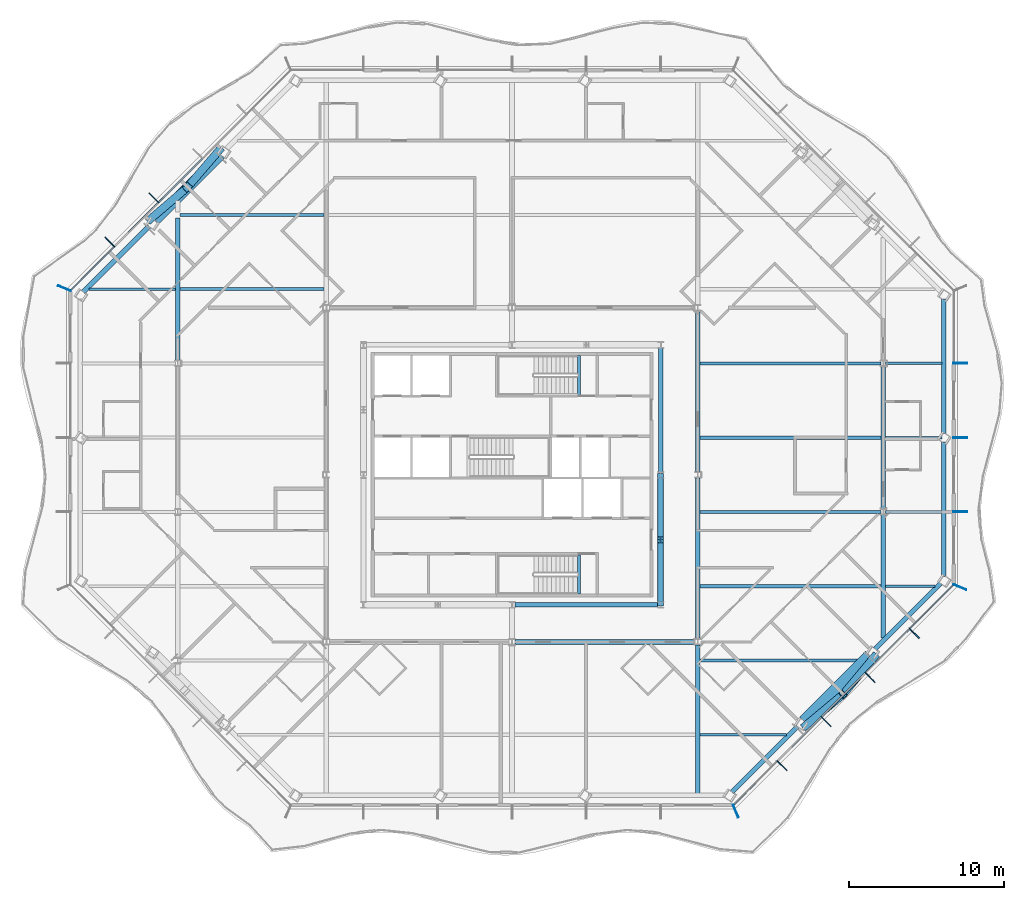
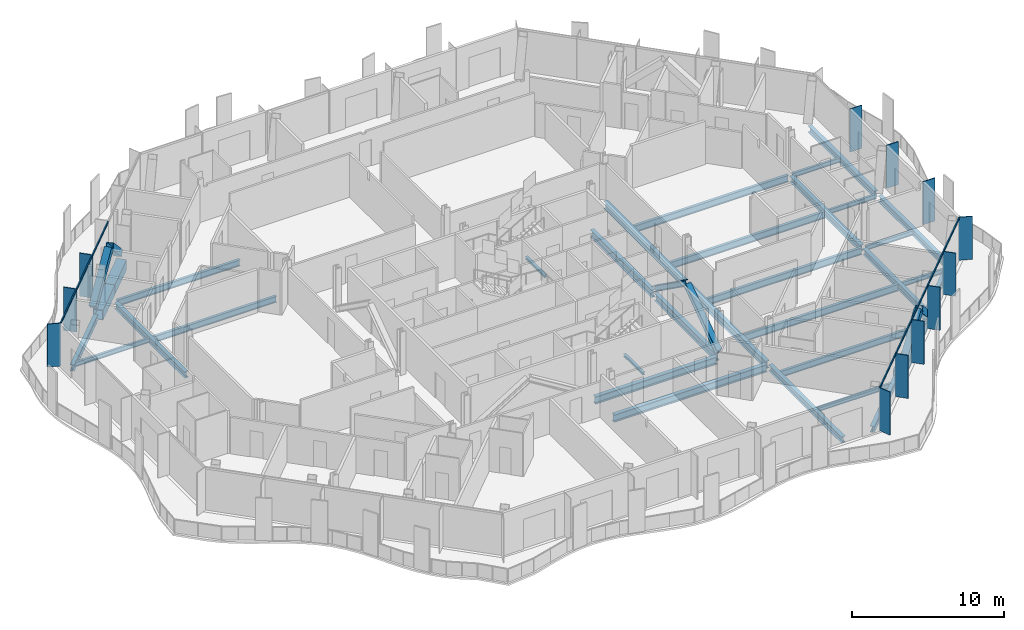
# One storey, part 4 of 21: 34 beams, 26 members, 4 elements without a shape of their own.
"""IFC4 building model written with IfcOpenShell, lengths in metres."""

import ifcopenshell
import ifcopenshell.guid

model = None  # the IFC model being written
_history = None  # IfcOwnerHistory: only IFC2X3 demands one
_inside = {}  # id of a spatial element -> (the spatial element, [elements in it])
_under = {}  # id of a project, library or spatial element -> (it, [spatial elements below it])
_declared = {}  # id of a project -> (the project, [libraries it declares])
_typed = {}  # id of a type object -> (the type object, [elements of that type])
_made_of = {}  # id of a material, layer set ... -> (it, [elements and type objects made of it])


def new_model(schema):
    """Start an empty IFC model of exactly this schema.

    Asked for "IFC4X3", IfcOpenShell would pick the latest addendum, in which some entities
    have other attributes; the version numbers below select the first issue.
    IFC2X3 requires an IfcOwnerHistory on every rooted entity: one is made here for all.
    """
    global model, _history
    if schema == "IFC4X3":
        model = ifcopenshell.file(schema_version=(4, 3, 0, 0))
    else:
        model = ifcopenshell.file(schema=schema)
    _inside.clear()
    _under.clear()
    _declared.clear()
    _typed.clear()
    _made_of.clear()
    _history = None
    if model.schema == "IFC2X3":
        org = make("IfcOrganization", Name="unknown")
        user = make(
            "IfcPersonAndOrganization",
            ThePerson=make("IfcPerson", FamilyName="unknown"),
            TheOrganization=org,
        )
        app = make(
            "IfcApplication",
            ApplicationDeveloper=org,
            Version="unknown",
            ApplicationFullName="unknown",
            ApplicationIdentifier="unknown",
        )
        _history = make(
            "IfcOwnerHistory",
            OwningUser=user,
            OwningApplication=app,
            ChangeAction="ADDED",
            CreationDate=0,
        )
    return model


def make(cls, **values):
    """One entity of the class cls with the attributes given. An attribute that is None is left unset."""
    return model.create_entity(
        cls, **{name: value for name, value in values.items() if value is not None}
    )


def rooted(cls, **values):
    """An entity with a GlobalId (a new one), such as an element, a storey or a relation."""
    return make(cls, GlobalId=ifcopenshell.guid.new(), OwnerHistory=_history, **values)


def si_unit(unit_type, name, prefix=None):
    """IfcSIUnit, for example si_unit("LENGTHUNIT", "METRE", prefix="MILLI")."""
    return make("IfcSIUnit", UnitType=unit_type, Prefix=prefix, Name=name)


def assignment(units):
    """IfcUnitAssignment: the units of a project."""
    return None if units is None else make("IfcUnitAssignment", Units=units)


def point(xyz):
    """IfcCartesianPoint."""
    return None if xyz is None else make("IfcCartesianPoint", Coordinates=xyz)


def direction(xyz):
    """IfcDirection."""
    return None if xyz is None else make("IfcDirection", DirectionRatios=xyz)


def frame(location, z_axis=None, x_axis=None):
    """IfcAxis2Placement3D, a coordinate frame: its origin and axes. An axis left out is left unset."""
    return make(
        "IfcAxis2Placement3D",
        Location=point(location),
        Axis=direction(z_axis),
        RefDirection=direction(x_axis),
    )


def frame_2d(location, x_axis=None):
    """IfcAxis2Placement2D, a coordinate frame in the plane: its origin and x axis."""
    return make(
        "IfcAxis2Placement2D", Location=point(location), RefDirection=direction(x_axis)
    )


def origin():
    """The frame at (0, 0, 0) with its axes left unset."""
    return frame((0.0, 0.0, 0.0))


def origin_2d():
    """The frame at (0, 0) in the plane with its x axis left unset."""
    return frame_2d((0.0, 0.0))


def place(relative_to, where):
    """IfcLocalPlacement: puts the frame where relative to a parent placement (None: the world)."""
    return make(
        "IfcLocalPlacement", PlacementRelTo=relative_to, RelativePlacement=where
    )


def context(
    kind, dimensions, precision=None, world=None, true_north=None, identifier=None
):
    """IfcGeometricRepresentationContext, for example the 3D "Model" context."""
    return make(
        "IfcGeometricRepresentationContext",
        ContextIdentifier=identifier,
        ContextType=kind,
        CoordinateSpaceDimension=dimensions,
        Precision=precision,
        WorldCoordinateSystem=world,
        TrueNorth=true_north,
    )


def subcontext(parent, identifier, kind, view, scale=None):
    """IfcGeometricRepresentationSubContext, for example "Body" below "Model"."""
    return make(
        "IfcGeometricRepresentationSubContext",
        ContextIdentifier=identifier,
        ContextType=kind,
        ParentContext=parent,
        TargetScale=scale,
        TargetView=view,
    )


def project(units=None, contexts=None):
    """IfcProject with its units and contexts."""
    return rooted(
        "IfcProject",
        Name="project",
        RepresentationContexts=contexts,
        UnitsInContext=assignment(units),
    )


def spatial(cls, under=None, at=None, **own):
    """A site, building, storey or space (cls), placed at a placement, below another one or the project."""
    s = rooted(cls, ObjectPlacement=at, **own)
    if under is not None:
        _under.setdefault(under.id(), (under, []))[1].append(s)
    return s


def profile(cls, at=None, kind="AREA", **sizes):
    """A parametric profile (cls). Its sizes go by their IFC names, for example OverallWidth=200.0."""
    return make(cls, ProfileType=kind, Position=at, **sizes)


def rectangle(**sizes):
    """IfcRectangleProfileDef."""
    return profile("IfcRectangleProfileDef", **sizes)


def hollow_rectangle(**sizes):
    """IfcRectangleHollowProfileDef."""
    return profile("IfcRectangleHollowProfileDef", **sizes)


def i_section(**sizes):
    """IfcIShapeProfileDef."""
    return profile("IfcIShapeProfileDef", **sizes)


def extrude(swept, where, along, depth):
    """IfcExtrudedAreaSolid: the profile swept, set in the frame where, extruded along a direction by depth."""
    return make(
        "IfcExtrudedAreaSolid",
        SweptArea=swept,
        Position=where,
        ExtrudedDirection=direction(along),
        Depth=depth,
    )


def shape(context_of_items, identifier, shape_type, items):
    """IfcShapeRepresentation: the items that make up one representation, for example the "Body"."""
    return make(
        "IfcShapeRepresentation",
        ContextOfItems=context_of_items,
        RepresentationIdentifier=identifier,
        RepresentationType=shape_type,
        Items=items,
    )


def material(Name=None, Category=None):
    """IfcMaterial."""
    return make("IfcMaterial", Name=Name, Category=Category)


def material_profile(
    of_material, cross_section, Name=None, Category=None, Priority=None
):
    """IfcMaterialProfile: a cross section and its material."""
    return make(
        "IfcMaterialProfile",
        Name=Name,
        Material=of_material,
        Profile=cross_section,
        Priority=Priority,
        Category=Category,
    )


def profile_set(profiles, Name=None, composite=None):
    """IfcMaterialProfileSet."""
    return make(
        "IfcMaterialProfileSet",
        Name=Name,
        MaterialProfiles=profiles,
        CompositeProfile=composite,
    )


def made_of(thing, what):
    """Note that an element or type object is made of a material, layer set ...; save() writes the relation."""
    if what is not None:
        _made_of.setdefault(what.id(), (what, []))[1].append(thing)
    return thing


def type_object(cls, material=None, **own):
    """A type object (cls), such as IfcWallType, which elements share."""
    return made_of(rooted(cls, **own), material)


def element(
    cls,
    number,
    at=None,
    inside=None,
    cuts=None,
    type_object=None,
    material=None,
    context=None,
    identifier="Body",
    shape_type=None,
    held_by="IfcProductDefinitionShape",
    body=None,
    shapes=None,
    **own,
):
    """One element of the class cls, such as IfcWall. Its Tag is "e" and its number.

    at: its placement. inside: the storey or other place that contains it. cuts: it is an
    opening in that element (IfcRelVoidsElement). A single representation is given by context,
    identifier, shape_type and body (its items); several are given by shapes. held_by: the class
    of the entity that holds the representations. save() writes the other relations.
    """
    e = rooted(cls, Tag="e%d" % number, ObjectPlacement=at, **own)
    if body is not None:
        shapes = [shape(context, identifier, shape_type, body)]
    if shapes is not None:
        e.Representation = make(held_by, Representations=shapes)
    if inside is not None:
        _inside.setdefault(inside.id(), (inside, []))[1].append(e)
    if cuts is not None:
        rooted(
            "IfcRelVoidsElement", RelatingBuildingElement=cuts, RelatedOpeningElement=e
        )
    if type_object is not None:
        _typed.setdefault(type_object.id(), (type_object, []))[1].append(e)
    return made_of(e, material)


def aggregate(whole, parts):
    """IfcRelAggregates: a whole, such as a stair, and the parts it consists of."""
    return rooted("IfcRelAggregates", RelatingObject=whole, RelatedObjects=parts)


def save(model, path):
    """Write the relations noted so far, then the file.

    IfcRelAggregates (storeys below a building ...), IfcRelContainedInSpatialStructure (elements
    in a storey), IfcRelDefinesByType, IfcRelAssociatesMaterial and IfcRelDeclares: one each for
    every whole, place, type object, material and project.
    """
    for whole, parts in _under.values():
        aggregate(whole, parts)
    for where, things in _inside.values():
        rooted(
            "IfcRelContainedInSpatialStructure",
            RelatedElements=things,
            RelatingStructure=where,
        )
    for kind, things in _typed.values():
        rooted("IfcRelDefinesByType", RelatedObjects=things, RelatingType=kind)
    for what, things in _made_of.values():
        rooted("IfcRelAssociatesMaterial", RelatedObjects=things, RelatingMaterial=what)
    for by, libraries in _declared.values():
        rooted("IfcRelDeclares", RelatingContext=by, RelatedDefinitions=libraries)
    model.write(path)


model = new_model("IFC4")

# Units and contexts
model_context = context("Model", 3, precision=1e-05, world=origin(), true_north=direction((0.0, 1.0)))
body_context = subcontext(model_context, "Body", "Model", "MODEL_VIEW")
ifc_project = project(units=[si_unit("LENGTHUNIT", "METRE"), si_unit("AREAUNIT", "SQUARE_METRE"), si_unit("VOLUMEUNIT", "CUBIC_METRE"), si_unit("PLANEANGLEUNIT", "RADIAN"), si_unit("MASSUNIT", "GRAM", prefix="KILO")], contexts=[model_context])

# Site, building, storey
site_placement = place(None, origin())
site = spatial("IfcSite", under=ifc_project, at=site_placement, CompositionType="ELEMENT")
building_placement = place(site_placement, origin())
building = spatial("IfcBuilding", under=site, at=building_placement, Name="Cairn Pilgrim Tower", CompositionType="ELEMENT")
storey_placement = place(building_placement, frame((0.0, 0.0, 172.199951171875)))
storey = spatial("IfcBuildingStorey", under=building, at=storey_placement, Name="L43", CompositionType="ELEMENT", Elevation=172.199951171875)

# Members
ifc_material_1 = material(Name="Structural steel S460M", Category="steel")
ifc_material_profile_1 = material_profile(ifc_material_1, hollow_rectangle(XDim=0.5, YDim=0.5, WallThickness=0.030029296875, at=origin_2d()), Name="BOX 500x500x30")
ifc_profile_set_1 = profile_set([ifc_material_profile_1], Name="Structural steel S460M")
member_type_1 = type_object("IfcMemberType", Name="BOX 500x500x30 BRACE", PredefinedType="BRACE", material=ifc_profile_set_1)
member_1_placement = place(storey_placement, frame((26.11669921875, -13.85595703125, 0.150146484375), z_axis=(0.583805625588, 0.486321592238, 0.650124834517), x_axis=(-0.640042176783, 0.768339776361, 0.0)))
element("IfcMember", 1, at=member_1_placement, inside=storey, type_object=member_type_1, Name="XB-SE2-SE3-1", PredefinedType="BRACE", context=body_context, shape_type="SweptSolid", body=[
    extrude(hollow_rectangle(XDim=0.5, YDim=0.5, WallThickness=0.030029296875, at=origin_2d()), origin(), (0.0, 0.0, 1.0), 4.222412109375),
])
member_2_placement = place(storey_placement, frame((30.656005859375, -9.316650390625, 0.150146484375), z_axis=(-0.486305176241, -0.583843736735, 0.65010288927), x_axis=(0.768370946595, -0.640004756567, 0.0)))
element("IfcMember", 2, at=member_2_placement, inside=storey, type_object=member_type_1, Name="XB-SE2-SE3-2", PredefinedType="BRACE", context=body_context, shape_type="SweptSolid", body=[
    extrude(hollow_rectangle(XDim=0.5, YDim=0.5, WallThickness=0.030029296875, at=origin_2d()), origin(), (0.0, 0.0, 1.0), 4.22265625),
])
member_3_placement = place(storey_placement, frame((-11.68017578125, 23.43115234375, 0.146728515625), z_axis=(-0.494520055514, -0.576989506883, 0.650025402305), x_axis=(0.759284157741, -0.650759224141, 0.0)))
element("IfcMember", 3, at=member_3_placement, inside=storey, type_object=member_type_1, Name="XB-NW2-NW3-1", PredefinedType="BRACE", context=body_context, shape_type="SweptSolid", body=[
    extrude(hollow_rectangle(XDim=0.5, YDim=0.5, WallThickness=0.030029296875, at=origin_2d()), origin(), (0.0, 0.0, 1.0), 4.114990234375),
])
member_4_placement = place(storey_placement, frame((-16.231201171875, 18.8818359375, 0.14697265625), z_axis=(0.577130262659, 0.494225277884, 0.65012463007), x_axis=(-0.650443975555, 0.759554234182, 0.0)))
element("IfcMember", 4, at=member_4_placement, inside=storey, type_object=member_type_1, Name="XB-NW2-NW3-2", PredefinedType="BRACE", context=body_context, shape_type="SweptSolid", body=[
    extrude(hollow_rectangle(XDim=0.5, YDim=0.5, WallThickness=0.030029296875, at=origin_2d()), origin(), (0.0, 0.0, 1.0), 4.114013671875),
])

# Beams
ifc_material_2 = material(Name="Structural steel S355J2", Category="steel")
ifc_material_profile_2 = material_profile(ifc_material_2, hollow_rectangle(XDim=0.699951171875, YDim=0.800048828125, WallThickness=0.0400390625, at=origin_2d()), Name="BOX 700x800x40")
ifc_profile_set_2 = profile_set([ifc_material_profile_2], Name="Structural steel S355J2")
beam_type_1 = type_object("IfcBeamType", Name="BOX 700x800x40 RING GIRDER", PredefinedType="SPANDREL", material=ifc_profile_set_2)
for number, where, z_axis, x_axis, name in (
    (5, (26.04248046875, -13.48486328125, -0.550048828125), (0.707066087907, 0.707147472125, 0.0), (-0.707147472125, 0.707066087907, 0.0), "RG2-SE2-SE3-1"),
    (6, (28.16357421875, -11.363525390625, -0.550048828125), (0.707147472125, 0.707066087907, 0.0), (-0.707066087907, 0.707147472125, 0.0), "RG2-SE2-SE3-2"),
    (7, (-11.642333984375, 23.084716796875, -0.550048828125), (-0.707147472125, -0.707066087907, 0.0), (0.707066087907, -0.707147472125, 0.0), "RG2-NW2-NW3-1"),
    (8, (-13.763671875, 20.963623046875, -0.550048828125), (-0.707066087907, -0.707147472125, 0.0), (0.707147472125, -0.707066087907, 0.0), "RG2-NW2-NW3-2"),
):
    element("IfcBeam", number, at=place(storey_placement, frame(where, z_axis=z_axis, x_axis=x_axis)), inside=storey, type_object=beam_type_1, Name=name, PredefinedType="SPANDREL", context=body_context, shape_type="SweptSolid", body=[
        extrude(hollow_rectangle(XDim=0.699951171875, YDim=0.800048828125, WallThickness=0.0400390625, at=origin_2d()), origin(), (0.0, 0.0, 1.0), 2.999755859375),
    ])

# Curtain wall, members
ifc_material_3 = material(Name="Aluminium alloy 6063-T6 bronze anodised with Bronze tinted laminated low-E glass 8+16+8.8", Category="aluminium")
curtain_wall_type_1 = type_object("IfcCurtainWallType", Name="CHAMFER CORNER CURTAIN WALL", PredefinedType="NOTDEFINED", material=ifc_material_3)
curtain_wall_1_placement = place(storey_placement, origin())
curtain_wall_1 = element("IfcCurtainWall", 9, at=curtain_wall_1_placement, inside=storey, type_object=curtain_wall_type_1, Name="Chamfer Corner Curtain Wall SE", PredefinedType="NOTDEFINED")
ifc_material_4 = material(Name="Aluminium alloy 6063-T6 bronze anodised", Category="aluminium")
ifc_material_profile_3 = material_profile(ifc_material_4, rectangle(XDim=0.89990234375, YDim=0.06005859375, at=origin_2d()), Name="FIN MULLION 60x900 BRONZE")
ifc_profile_set_3 = profile_set([ifc_material_profile_3], Name="Aluminium alloy 6063-T6 bronze anodised")
member_type_2 = type_object("IfcMemberType", Name="FIN MULLION 60x900 BRONZE", PredefinedType="MULLION", material=ifc_profile_set_3)
member_5_placement = place(storey_placement, frame((21.6572265625, -19.338134765625, 0.0), z_axis=(0.0, 0.0, 1.0), x_axis=(0.382683432365, -0.923879532511, 0.0)))
member_5 = element("IfcMember", 10, at=member_5_placement, type_object=member_type_2, Name="Fin mullion SE1", PredefinedType="MULLION", context=body_context, shape_type="SweptSolid", body=[
    extrude(rectangle(XDim=0.89990234375, YDim=0.06005859375, at=origin_2d()), origin(), (0.0, 0.0, 1.0), 3.449951171875),
])
member_6_placement = place(storey_placement, frame((24.64404296875, -16.396240234375, 0.0), z_axis=(0.0, 0.0, 1.0), x_axis=(0.707106781187, -0.707106781187, 0.0)))
member_6 = element("IfcMember", 11, at=member_6_placement, type_object=member_type_2, Name="Fin mullion SE2", PredefinedType="MULLION", context=body_context, shape_type="SweptSolid", body=[
    extrude(rectangle(XDim=0.89990234375, YDim=0.06005859375, at=origin_2d()), origin(), (0.0, 0.0, 1.0), 3.449951171875),
])
member_7_placement = place(storey_placement, frame((27.494873046875, -13.545654296875, 0.0), z_axis=(0.0, 0.0, 1.0), x_axis=(0.707106781187, -0.707106781187, 0.0)))
member_7 = element("IfcMember", 12, at=member_7_placement, type_object=member_type_2, Name="Fin mullion SE3", PredefinedType="MULLION", context=body_context, shape_type="SweptSolid", body=[
    extrude(rectangle(XDim=0.89990234375, YDim=0.06005859375, at=origin_2d()), origin(), (0.0, 0.0, 1.0), 3.449951171875),
])
member_8_placement = place(storey_placement, frame((30.345458984375, -10.69482421875, 0.0), z_axis=(0.0, 0.0, 1.0), x_axis=(0.707106781187, -0.707106781187, 0.0)))
member_8 = element("IfcMember", 13, at=member_8_placement, type_object=member_type_2, Name="Fin mullion SE4", PredefinedType="MULLION", context=body_context, shape_type="SweptSolid", body=[
    extrude(rectangle(XDim=0.89990234375, YDim=0.06005859375, at=origin_2d()), origin(), (0.0, 0.0, 1.0), 3.449951171875),
])
member_9_placement = place(storey_placement, frame((33.1962890625, -7.84423828125, 0.0), z_axis=(0.0, 0.0, 1.0), x_axis=(0.707106781187, -0.707106781187, 0.0)))
member_9 = element("IfcMember", 14, at=member_9_placement, type_object=member_type_2, Name="Fin mullion SE5", PredefinedType="MULLION", context=body_context, shape_type="SweptSolid", body=[
    extrude(rectangle(XDim=0.89990234375, YDim=0.06005859375, at=origin_2d()), origin(), (0.0, 0.0, 1.0), 3.449951171875),
])

curtain_wall_type_2 = type_object("IfcCurtainWallType", Name="TOWER STICK CURTAIN WALL EW", PredefinedType="NOTDEFINED", material=ifc_material_3)
curtain_wall_2_placement = place(storey_placement, origin())
curtain_wall_2 = element("IfcCurtainWall", 15, at=curtain_wall_2_placement, inside=storey, type_object=curtain_wall_type_2, Name="Tower Stick Curtain Wall Ew E", PredefinedType="NOTDEFINED")
member_10_placement = place(storey_placement, frame((36.137939453125, -4.857177734375, 0.0), z_axis=(0.0, 0.0, 1.0), x_axis=(0.923879532511, -0.382683432365, 0.0)))
member_10 = element("IfcMember", 16, at=member_10_placement, type_object=member_type_2, Name="Fin mullion E1", PredefinedType="MULLION", context=body_context, shape_type="SweptSolid", body=[
    extrude(rectangle(XDim=0.89990234375, YDim=0.06005859375, at=origin_2d()), origin(), (0.0, 0.0, 1.0), 3.449951171875),
])
member_11_placement = place(storey_placement, frame((36.169921875, 0.0, 0.0), z_axis=(0.0, 0.0, 1.0), x_axis=(1.0, 0.0, 0.0)))
member_11 = element("IfcMember", 17, at=member_11_placement, type_object=member_type_2, Name="Fin mullion E2", PredefinedType="MULLION", context=body_context, shape_type="SweptSolid", body=[
    extrude(rectangle(XDim=0.89990234375, YDim=0.06005859375, at=origin_2d()), origin(), (0.0, 0.0, 1.0), 3.449951171875),
])
member_12_placement = place(storey_placement, frame((36.169921875, 4.800048828125, 0.0), z_axis=(0.0, 0.0, 1.0), x_axis=(1.0, 0.0, 0.0)))
member_12 = element("IfcMember", 18, at=member_12_placement, type_object=member_type_2, Name="Fin mullion E3", PredefinedType="MULLION", context=body_context, shape_type="SweptSolid", body=[
    extrude(rectangle(XDim=0.89990234375, YDim=0.06005859375, at=origin_2d()), origin(), (0.0, 0.0, 1.0), 3.449951171875),
])
member_13_placement = place(storey_placement, frame((36.169921875, 9.60009765625, 0.0), z_axis=(0.0, 0.0, 1.0), x_axis=(1.0, 0.0, 0.0)))
member_13 = element("IfcMember", 19, at=member_13_placement, type_object=member_type_2, Name="Fin mullion E4", PredefinedType="MULLION", context=body_context, shape_type="SweptSolid", body=[
    extrude(rectangle(XDim=0.89990234375, YDim=0.06005859375, at=origin_2d()), origin(), (0.0, 0.0, 1.0), 3.449951171875),
])
aggregate(curtain_wall_2, [member_10, member_11, member_12, member_13])

curtain_wall_3_placement = place(storey_placement, origin())
curtain_wall_3 = element("IfcCurtainWall", 20, at=curtain_wall_3_placement, inside=storey, type_object=curtain_wall_type_1, Name="Chamfer Corner Curtain Wall NW", PredefinedType="NOTDEFINED")
member_14_placement = place(storey_placement, frame((-15.945556640625, 20.294921875, 0.0), z_axis=(0.0, 0.0, 1.0), x_axis=(-0.707106781187, 0.707106781187, 0.0)))
member_14 = element("IfcMember", 21, at=member_14_placement, type_object=member_type_2, Name="Fin mullion NW4", PredefinedType="MULLION", context=body_context, shape_type="SweptSolid", body=[
    extrude(rectangle(XDim=0.89990234375, YDim=0.06005859375, at=origin_2d()), origin(), (0.0, 0.0, 1.0), 3.449951171875),
])
member_15_placement = place(storey_placement, frame((-18.79638671875, 17.444091796875, 0.0), z_axis=(0.0, 0.0, 1.0), x_axis=(-0.707106781187, 0.707106781187, 0.0)))
member_15 = element("IfcMember", 22, at=member_15_placement, type_object=member_type_2, Name="Fin mullion NW5", PredefinedType="MULLION", context=body_context, shape_type="SweptSolid", body=[
    extrude(rectangle(XDim=0.89990234375, YDim=0.06005859375, at=origin_2d()), origin(), (0.0, 0.0, 1.0), 3.449951171875),
])

# Curtain wall, member
curtain_wall_4_placement = place(storey_placement, origin())
curtain_wall_4 = element("IfcCurtainWall", 23, at=curtain_wall_4_placement, inside=storey, type_object=curtain_wall_type_2, Name="Tower Stick Curtain Wall Ew W", PredefinedType="NOTDEFINED")
member_16_placement = place(storey_placement, frame((-21.738037109375, 14.457275390625, 0.0), z_axis=(0.0, 0.0, 1.0), x_axis=(-0.923879532511, 0.382683432365, 0.0)))
member_16 = element("IfcMember", 24, at=member_16_placement, type_object=member_type_2, Name="Fin mullion W1", PredefinedType="MULLION", context=body_context, shape_type="SweptSolid", body=[
    extrude(rectangle(XDim=0.89990234375, YDim=0.06005859375, at=origin_2d()), origin(), (0.0, 0.0, 1.0), 3.449951171875),
])
aggregate(curtain_wall_4, [member_16])

# Members
ifc_material_profile_4 = material_profile(ifc_material_1, i_section(OverallWidth=0.408935546875, OverallDepth=0.425048828125, WebThickness=0.03271484375, FlangeThickness=0.052490234375, FilletRadius=0.014892578125, at=origin_2d()), Name="HD 400x421")
ifc_profile_set_4 = profile_set([ifc_material_profile_4], Name="Structural steel S460M")
member_type_3 = type_object("IfcMemberType", Name="HD 400x421 BRACE", PredefinedType="BRACE", material=ifc_profile_set_4)
member_17_placement = place(storey_placement, frame((16.800048828125, -5.95849609375, 0.10009765625), z_axis=(0.0, 0.814346882511, 0.580378458373), x_axis=(-1.0, 0.0, 0.0)))
element("IfcMember", 25, at=member_17_placement, inside=storey, type_object=member_type_3, Name="KB-2A", PredefinedType="BRACE", context=body_context, shape_type="SweptSolid", body=[
    extrude(i_section(OverallWidth=0.408935546875, OverallDepth=0.425048828125, WebThickness=0.03271484375, FlangeThickness=0.052490234375, FilletRadius=0.014892578125, at=origin_2d()), origin(), (0.0, 0.0, 1.0), 4.998291015625),
])
member_18_placement = place(storey_placement, frame((16.800048828125, 2.3583984375, 0.10009765625), z_axis=(0.0, -0.81433042856, 0.580401544727), x_axis=(1.0, 0.0, 0.0)))
element("IfcMember", 26, at=member_18_placement, inside=storey, type_object=member_type_3, Name="KB-2B", PredefinedType="BRACE", context=body_context, shape_type="SweptSolid", body=[
    extrude(i_section(OverallWidth=0.408935546875, OverallDepth=0.425048828125, WebThickness=0.03271484375, FlangeThickness=0.052490234375, FilletRadius=0.014892578125, at=origin_2d()), origin(), (0.0, 0.0, 1.0), 4.998046875),
])

# Beams
ifc_material_profile_5 = material_profile(ifc_material_2, i_section(OverallWidth=0.300048828125, OverallDepth=0.5, WebThickness=0.014404296875, FlangeThickness=0.028076171875, FilletRadius=0.027099609375, at=origin_2d()), Name="HEB 500")
ifc_profile_set_5 = profile_set([ifc_material_profile_5], Name="Structural steel S355J2")
beam_type_2 = type_object("IfcBeamType", Name="HEB 500 GIRDER", PredefinedType="BEAM", material=ifc_profile_set_5)
beam_1_placement = place(storey_placement, frame((-14.39990234375, 9.799560546875, -0.39990234375), z_axis=(0.0, 1.0, 0.0), x_axis=(-1.0, 0.0, 0.0)))
element("IfcBeam", 27, at=beam_1_placement, inside=storey, type_object=beam_type_2, Name="PG1-3", PredefinedType="BEAM", context=body_context, shape_type="SweptSolid", body=[
    extrude(i_section(OverallWidth=0.300048828125, OverallDepth=0.5, WebThickness=0.014404296875, FlangeThickness=0.028076171875, FilletRadius=0.027099609375, at=origin_2d()), origin(), (0.0, 0.0, 1.0), 9.200927734375),
])
beam_2_placement = place(storey_placement, frame((19.199951171875, -18.179931640625, -0.39990234375), z_axis=(0.0, 1.0, 0.0), x_axis=(-1.0, 0.0, 0.0)))
element("IfcBeam", 28, at=beam_2_placement, inside=storey, type_object=beam_type_2, Name="PG4-1", PredefinedType="BEAM", context=body_context, shape_type="SweptSolid", body=[
    extrude(i_section(OverallWidth=0.300048828125, OverallDepth=0.5, WebThickness=0.014404296875, FlangeThickness=0.028076171875, FilletRadius=0.027099609375, at=origin_2d()), origin(), (0.0, 0.0, 1.0), 9.580322265625),
])
beam_3_placement = place(storey_placement, frame((31.199951171875, -8.14501953125, -0.39990234375), z_axis=(0.0, 1.0, 0.0), x_axis=(-1.0, 0.0, 0.0)))
element("IfcBeam", 29, at=beam_3_placement, inside=storey, type_object=beam_type_2, Name="PG5-1", PredefinedType="BEAM", context=body_context, shape_type="SweptSolid", body=[
    extrude(i_section(OverallWidth=0.300048828125, OverallDepth=0.5, WebThickness=0.014404296875, FlangeThickness=0.028076171875, FilletRadius=0.027099609375, at=origin_2d()), origin(), (0.0, 0.0, 1.0), 7.9404296875),
])
beam_4_placement = place(storey_placement, frame((31.199951171875, 0.20458984375, -0.39990234375), z_axis=(0.0, 1.0, 0.0), x_axis=(-1.0, 0.0, 0.0)))
element("IfcBeam", 30, at=beam_4_placement, inside=storey, type_object=beam_type_2, Name="PG5-2", PredefinedType="BEAM", context=body_context, shape_type="SweptSolid", body=[
    extrude(i_section(OverallWidth=0.300048828125, OverallDepth=0.5, WebThickness=0.014404296875, FlangeThickness=0.028076171875, FilletRadius=0.027099609375, at=origin_2d()), origin(), (0.0, 0.0, 1.0), 9.19091796875),
])
ifc_material_profile_6 = material_profile(ifc_material_2, i_section(OverallWidth=0.300048828125, OverallDepth=0.5, WebThickness=0.014404296875, FlangeThickness=0.028076171875, FilletRadius=0.027099609375, at=origin_2d()), Name="HEB 500")
ifc_profile_set_6 = profile_set([ifc_material_profile_6], Name="Structural steel S355J2")
beam_type_3 = type_object("IfcBeamType", Name="HEB 500 RING GIRDER", PredefinedType="SPANDREL", material=ifc_profile_set_6)
for number, where, z_axis, x_axis, name in (
    (31, (21.418212890625, -18.109130859375, -0.39990234375), (0.707106781187, 0.707106781187, 0.0), (-0.707106781187, 0.707106781187, 0.0), "RG2-SE1-SE2"),
    (32, (30.666748046875, -8.860595703125, -0.39990234375), (0.707106781187, 0.707106781187, 0.0), (-0.707106781187, 0.707106781187, 0.0), "RG2-SE3-E1"),
):
    element("IfcBeam", number, at=place(storey_placement, frame(where, z_axis=z_axis, x_axis=x_axis)), inside=storey, type_object=beam_type_3, Name=name, PredefinedType="SPANDREL", context=body_context, shape_type="SweptSolid", body=[
        extrude(i_section(OverallWidth=0.300048828125, OverallDepth=0.5, WebThickness=0.014404296875, FlangeThickness=0.028076171875, FilletRadius=0.027099609375, at=origin_2d()), origin(), (0.0, 0.0, 1.0), 5.999755859375),
    ])
beam_5_placement = place(storey_placement, frame((35.10009765625, -4.1572265625, -0.39990234375), z_axis=(0.0, 1.0, 0.0), x_axis=(-1.0, 0.0, 0.0)))
element("IfcBeam", 33, at=beam_5_placement, inside=storey, type_object=beam_type_3, Name="RG2-E1-E2", PredefinedType="SPANDREL", context=body_context, shape_type="SweptSolid", body=[
    extrude(i_section(OverallWidth=0.300048828125, OverallDepth=0.5, WebThickness=0.014404296875, FlangeThickness=0.028076171875, FilletRadius=0.027099609375, at=origin_2d()), origin(), (0.0, 0.0, 1.0), 8.687255859375),
])
beam_6_placement = place(storey_placement, frame((35.10009765625, 5.070068359375, -0.39990234375), z_axis=(0.0, 1.0, 0.0), x_axis=(-1.0, 0.0, 0.0)))
element("IfcBeam", 34, at=beam_6_placement, inside=storey, type_object=beam_type_3, Name="RG2-E2-NE1", PredefinedType="SPANDREL", context=body_context, shape_type="SweptSolid", body=[
    extrude(i_section(OverallWidth=0.300048828125, OverallDepth=0.5, WebThickness=0.014404296875, FlangeThickness=0.028076171875, FilletRadius=0.027099609375, at=origin_2d()), origin(), (0.0, 0.0, 1.0), 8.68701171875),
])
beam_7_placement = place(storey_placement, frame((-16.2666015625, 18.460693359375, -0.39990234375), z_axis=(-0.707086435425, -0.707127126363, 0.0), x_axis=(0.707127126363, -0.707086435425, 0.0)))
element("IfcBeam", 35, at=beam_7_placement, inside=storey, type_object=beam_type_3, Name="RG2-NW3-W1", PredefinedType="SPANDREL", context=body_context, shape_type="SweptSolid", body=[
    extrude(i_section(OverallWidth=0.300048828125, OverallDepth=0.5, WebThickness=0.014404296875, FlangeThickness=0.028076171875, FilletRadius=0.027099609375, at=origin_2d()), origin(), (0.0, 0.0, 1.0), 5.999755859375),
])
ifc_material_profile_7 = material_profile(ifc_material_2, i_section(OverallWidth=0.300048828125, OverallDepth=0.60009765625, WebThickness=0.015380859375, FlangeThickness=0.030029296875, FilletRadius=0.027099609375, at=origin_2d()), Name="HEB 600")
ifc_profile_set_7 = profile_set([ifc_material_profile_7], Name="Structural steel S355J2")
beam_type_4 = type_object("IfcBeamType", Name="HEB 600 CORE BEAM", PredefinedType="BEAM", material=ifc_profile_set_7)
beam_8_placement = place(storey_placement, frame((7.38720703125, -6.0, -0.449951171875), z_axis=(1.0, 0.0, 0.0), x_axis=(0.0, 1.0, 0.0)))
element("IfcBeam", 36, at=beam_8_placement, inside=storey, type_object=beam_type_4, Name="CB-2", PredefinedType="BEAM", context=body_context, shape_type="SweptSolid", body=[
    extrude(i_section(OverallWidth=0.300048828125, OverallDepth=0.60009765625, WebThickness=0.015380859375, FlangeThickness=0.030029296875, FilletRadius=0.027099609375, at=origin_2d()), origin(), (0.0, 0.0, 1.0), 9.2255859375),
])
for number, where, z_axis, x_axis, name in (
    (37, (16.800048828125, -5.812744140625, -0.449951171875), (0.0, 1.0, 0.0), (-1.0, 0.0, 0.0), "CB-3"),
    (38, (16.800048828125, 2.587158203125, -0.449951171875), (0.0, 1.0, 0.0), (-1.0, 0.0, 0.0), "CB-4"),
):
    element("IfcBeam", number, at=place(storey_placement, frame(where, z_axis=z_axis, x_axis=x_axis)), inside=storey, type_object=beam_type_4, Name=name, PredefinedType="BEAM", context=body_context, shape_type="SweptSolid", body=[
        extrude(i_section(OverallWidth=0.300048828125, OverallDepth=0.60009765625, WebThickness=0.015380859375, FlangeThickness=0.030029296875, FilletRadius=0.027099609375, at=origin_2d()), origin(), (0.0, 0.0, 1.0), 8.025634765625),
    ])
ifc_material_profile_8 = material_profile(ifc_material_2, i_section(OverallWidth=0.300048828125, OverallDepth=0.60009765625, WebThickness=0.015380859375, FlangeThickness=0.030029296875, FilletRadius=0.027099609375, at=origin_2d()), Name="HEB 600")
ifc_profile_set_8 = profile_set([ifc_material_profile_8], Name="Structural steel S355J2")
beam_type_5 = type_object("IfcBeamType", Name="HEB 600 GIRDER", PredefinedType="BEAM", material=ifc_profile_set_8)
for number, where, z_axis, x_axis, name in (
    (39, (19.199951171875, -8.200439453125, -0.449951171875), (0.0, 1.0, 0.0), (-1.0, 0.0, 0.0), "PG4-2"),
    (40, (19.199951171875, 2.599609375, -0.449951171875), (0.0, 1.0, 0.0), (-1.0, 0.0, 0.0), "PG4-3"),
):
    element("IfcBeam", number, at=place(storey_placement, frame(where, z_axis=z_axis, x_axis=x_axis)), inside=storey, type_object=beam_type_5, Name=name, PredefinedType="BEAM", context=body_context, shape_type="SweptSolid", body=[
        extrude(i_section(OverallWidth=0.300048828125, OverallDepth=0.60009765625, WebThickness=0.015380859375, FlangeThickness=0.030029296875, FilletRadius=0.027099609375, at=origin_2d()), origin(), (0.0, 0.0, 1.0), 10.40087890625),
    ])
ifc_material_profile_9 = material_profile(ifc_material_2, i_section(OverallWidth=0.300048828125, OverallDepth=0.60009765625, WebThickness=0.015380859375, FlangeThickness=0.030029296875, FilletRadius=0.027099609375, at=origin_2d()), Name="HEB 600")
ifc_profile_set_9 = profile_set([ifc_material_profile_9], Name="Structural steel S355J2")
beam_type_6 = type_object("IfcBeamType", Name="HEB 600 INNER GIRDER", PredefinedType="BEAM", material=ifc_profile_set_9)
beam_9_placement = place(storey_placement, frame((7.3994140625, -8.39990234375, -0.449951171875), z_axis=(1.0, 0.0, 0.0), x_axis=(0.0, 1.0, 0.0)))
element("IfcBeam", 41, at=beam_9_placement, inside=storey, type_object=beam_type_6, Name="IG1-2", PredefinedType="BEAM", context=body_context, shape_type="SweptSolid", body=[
    extrude(i_section(OverallWidth=0.300048828125, OverallDepth=0.60009765625, WebThickness=0.015380859375, FlangeThickness=0.030029296875, FilletRadius=0.027099609375, at=origin_2d()), origin(), (0.0, 0.0, 1.0), 11.60107421875),
])
ifc_material_profile_10 = material_profile(ifc_material_2, i_section(OverallWidth=0.169921875, OverallDepth=0.360107421875, WebThickness=0.008056640625, FlangeThickness=0.0126953125, FilletRadius=0.01806640625, at=origin_2d()), Name="IPE 360")
ifc_profile_set_10 = profile_set([ifc_material_profile_10], Name="Structural steel S355J2")
beam_type_7 = type_object("IfcBeamType", Name="IPE 360 SECONDARY BEAM", PredefinedType="JOIST", material=ifc_profile_set_10)
beam_10_placement = place(storey_placement, frame((19.35009765625, -14.39990234375, -0.329833984375), z_axis=(1.0, 0.0, 0.0), x_axis=(0.0, 1.0, 0.0)))
element("IfcBeam", 42, at=beam_10_placement, inside=storey, type_object=beam_type_7, Name="SB1-4", PredefinedType="JOIST", context=body_context, shape_type="SweptSolid", body=[
    extrude(i_section(OverallWidth=0.169921875, OverallDepth=0.360107421875, WebThickness=0.008056640625, FlangeThickness=0.0126953125, FilletRadius=0.01806640625, at=origin_2d()), origin(), (0.0, 0.0, 1.0), 5.594970703125),
])
beam_11_placement = place(storey_placement, frame((31.35009765625, -4.800048828125, -0.329833984375), z_axis=(1.0, 0.0, 0.0), x_axis=(0.0, 1.0, 0.0)))
element("IfcBeam", 43, at=beam_11_placement, inside=storey, type_object=beam_type_7, Name="SB3-4", PredefinedType="JOIST", context=body_context, shape_type="SweptSolid", body=[
    extrude(i_section(OverallWidth=0.169921875, OverallDepth=0.360107421875, WebThickness=0.008056640625, FlangeThickness=0.0126953125, FilletRadius=0.01806640625, at=origin_2d()), origin(), (0.0, 0.0, 1.0), 3.195068359375),
])
for number, where, z_axis, x_axis, name in (
    (44, (31.35009765625, 0.0, -0.329833984375), (1.0, 0.0, 0.0), (0.0, 1.0, 0.0), "SB4-4"),
    (45, (31.35009765625, 4.800048828125, -0.329833984375), (1.0, 0.0, 0.0), (0.0, 1.0, 0.0), "SB5-4"),
    (46, (31.35009765625, 9.60009765625, -0.329833984375), (1.0, 0.0, 0.0), (0.0, 1.0, 0.0), "SB6-4"),
):
    element("IfcBeam", number, at=place(storey_placement, frame(where, z_axis=z_axis, x_axis=x_axis)), inside=storey, type_object=beam_type_7, Name=name, PredefinedType="JOIST", context=body_context, shape_type="SweptSolid", body=[
        extrude(i_section(OverallWidth=0.169921875, OverallDepth=0.360107421875, WebThickness=0.008056640625, FlangeThickness=0.0126953125, FilletRadius=0.01806640625, at=origin_2d()), origin(), (0.0, 0.0, 1.0), 3.6298828125),
    ])
beam_12_placement = place(storey_placement, frame((-20.14501953125, 14.39990234375, -0.329833984375), z_axis=(1.0, 0.0, 0.0), x_axis=(0.0, 1.0, 0.0)))
element("IfcBeam", 47, at=beam_12_placement, inside=storey, type_object=beam_type_7, Name="SB7-1", PredefinedType="JOIST", context=body_context, shape_type="SweptSolid", body=[
    extrude(i_section(OverallWidth=0.169921875, OverallDepth=0.360107421875, WebThickness=0.008056640625, FlangeThickness=0.0126953125, FilletRadius=0.01806640625, at=origin_2d()), origin(), (0.0, 0.0, 1.0), 5.594970703125),
])
ifc_material_profile_11 = material_profile(ifc_material_2, i_section(OverallWidth=0.199951171875, OverallDepth=0.5, WebThickness=0.01025390625, FlangeThickness=0.01611328125, FilletRadius=0.02099609375, at=origin_2d()), Name="IPE 500")
ifc_profile_set_11 = profile_set([ifc_material_profile_11], Name="Structural steel S355J2")
beam_type_8 = type_object("IfcBeamType", Name="IPE 500 SECONDARY BEAM", PredefinedType="JOIST", material=ifc_profile_set_11)
beam_13_placement = place(storey_placement, frame((19.35009765625, -9.60009765625, -0.39990234375), z_axis=(1.0, 0.0, 0.0), x_axis=(0.0, 1.0, 0.0)))
element("IfcBeam", 48, at=beam_13_placement, inside=storey, type_object=beam_type_8, Name="SB2-2", PredefinedType="JOIST", context=body_context, shape_type="SweptSolid", body=[
    extrude(i_section(OverallWidth=0.199951171875, OverallDepth=0.5, WebThickness=0.01025390625, FlangeThickness=0.01611328125, FilletRadius=0.02099609375, at=origin_2d()), origin(), (0.0, 0.0, 1.0), 10.39501953125),
])
for number, where, z_axis, x_axis, name in (
    (49, (-14.25, 14.39990234375, -0.39990234375), (1.0, 0.0, 0.0), (0.0, 1.0, 0.0), "SB7-2"),
    (50, (-14.25, 19.199951171875, -0.39990234375), (1.0, 0.0, 0.0), (0.0, 1.0, 0.0), "SB8-1"),
):
    element("IfcBeam", number, at=place(storey_placement, frame(where, z_axis=z_axis, x_axis=x_axis)), inside=storey, type_object=beam_type_8, Name=name, PredefinedType="JOIST", context=body_context, shape_type="SweptSolid", body=[
        extrude(i_section(OverallWidth=0.199951171875, OverallDepth=0.5, WebThickness=0.01025390625, FlangeThickness=0.01611328125, FilletRadius=0.02099609375, at=origin_2d()), origin(), (0.0, 0.0, 1.0), 9.300048828125),
    ])
ifc_material_profile_12 = material_profile(ifc_material_2, i_section(OverallWidth=0.2099609375, OverallDepth=0.550048828125, WebThickness=0.010986328125, FlangeThickness=0.01708984375, FilletRadius=0.02392578125, at=origin_2d()), Name="IPE 550")
ifc_profile_set_12 = profile_set([ifc_material_profile_12], Name="Structural steel S355J2")
beam_type_9 = type_object("IfcBeamType", Name="IPE 550 SECONDARY BEAM", PredefinedType="JOIST", material=ifc_profile_set_12)
for number, where, z_axis, x_axis, name in (
    (51, (19.35009765625, -4.800048828125, -0.425048828125), (1.0, 0.0, 0.0), (0.0, 1.0, 0.0), "SB3-3"),
    (52, (19.35009765625, 0.0, -0.425048828125), (1.0, 0.0, 0.0), (0.0, 1.0, 0.0), "SB4-3"),
    (53, (19.35009765625, 4.800048828125, -0.425048828125), (1.0, 0.0, 0.0), (0.0, 1.0, 0.0), "SB5-3"),
    (54, (19.35009765625, 9.60009765625, -0.425048828125), (1.0, 0.0, 0.0), (0.0, 1.0, 0.0), "SB6-3"),
):
    element("IfcBeam", number, at=place(storey_placement, frame(where, z_axis=z_axis, x_axis=x_axis)), inside=storey, type_object=beam_type_9, Name=name, PredefinedType="JOIST", context=body_context, shape_type="SweptSolid", body=[
        extrude(i_section(OverallWidth=0.2099609375, OverallDepth=0.550048828125, WebThickness=0.010986328125, FlangeThickness=0.01708984375, FilletRadius=0.02392578125, at=origin_2d()), origin(), (0.0, 0.0, 1.0), 11.699951171875),
    ])
ifc_material_profile_13 = material_profile(ifc_material_2, i_section(OverallWidth=0.199951171875, OverallDepth=0.199951171875, WebThickness=0.009033203125, FlangeThickness=0.014892578125, FilletRadius=0.01806640625, at=origin_2d()), Name="HE 200 B")
ifc_profile_set_13 = profile_set([ifc_material_profile_13], Name="Structural steel S355J2")
beam_type_10 = type_object("IfcBeamType", Name="STAIR LANDING BEAM HE 200 B", PredefinedType="BEAM", material=ifc_profile_set_13)
for number, where, z_axis, x_axis, name in (
    (55, (11.5244140625, -2.77490234375, -0.25), (0.0, -1.0, 0.0), (1.0, 0.0, 0.0), "STAIR LANDING BEAM LD-HE200B"),
    (56, (11.5244140625, 10.10009765625, -0.25), (0.0, -1.0, 0.0), (1.0, 0.0, 0.0), "STAIR LANDING BEAM LD-HE200B"),
):
    element("IfcBeam", number, at=place(storey_placement, frame(where, z_axis=z_axis, x_axis=x_axis)), inside=storey, type_object=beam_type_10, Name=name, PredefinedType="BEAM", context=body_context, shape_type="SweptSolid", body=[
        extrude(i_section(OverallWidth=0.199951171875, OverallDepth=0.199951171875, WebThickness=0.009033203125, FlangeThickness=0.014892578125, FilletRadius=0.01806640625, at=origin_2d()), origin(), (0.0, 0.0, 1.0), 2.525146484375),
    ])

# Member
ifc_material_profile_14 = material_profile(ifc_material_4, rectangle(XDim=0.080078125, YDim=0.14990234375, at=origin_2d()), Name="TRANSOM 80x150 BRONZE")
ifc_profile_set_14 = profile_set([ifc_material_profile_14], Name="Aluminium alloy 6063-T6 bronze anodised")
member_type_4 = type_object("IfcMemberType", Name="TRANSOM 80x150 BRONZE", PredefinedType="USERDEFINED", material=ifc_profile_set_14)
member_19_placement = place(storey_placement, frame((21.524658203125, -18.921630859375, 3.375), z_axis=(0.707137595296, 0.707075965734, 0.0), x_axis=(-0.707075965734, 0.707137595296, 0.0)))
member_19 = element("IfcMember", 57, at=member_19_placement, type_object=member_type_4, Name="Transom SE1", ObjectType="TRANSOM", PredefinedType="USERDEFINED", context=body_context, shape_type="SweptSolid", body=[
    extrude(rectangle(XDim=0.080078125, YDim=0.14990234375, at=origin_2d()), origin(), (0.0, 0.0, 1.0), 3.96142578125),
])

member_20_placement = place(storey_placement, frame((24.368408203125, -16.078125, 3.375), z_axis=(0.707106781187, 0.707106781187, 0.0), x_axis=(-0.707106781187, 0.707106781187, 0.0)))
member_20 = element("IfcMember", 58, at=member_20_placement, type_object=member_type_4, Name="Transom SE2", ObjectType="TRANSOM", PredefinedType="USERDEFINED", context=body_context, shape_type="SweptSolid", body=[
    extrude(rectangle(XDim=0.080078125, YDim=0.14990234375, at=origin_2d()), origin(), (0.0, 0.0, 1.0), 3.9716796875),
])

member_21_placement = place(storey_placement, frame((27.218994140625, -13.227294921875, 3.375), z_axis=(0.70713751761, 0.707076043427, 0.0), x_axis=(-0.707076043427, 0.70713751761, 0.0)))
member_21 = element("IfcMember", 59, at=member_21_placement, type_object=member_type_4, Name="Transom SE3", ObjectType="TRANSOM", PredefinedType="USERDEFINED", context=body_context, shape_type="SweptSolid", body=[
    extrude(rectangle(XDim=0.080078125, YDim=0.14990234375, at=origin_2d()), origin(), (0.0, 0.0, 1.0), 3.971435546875),
])

member_22_placement = place(storey_placement, frame((30.06982421875, -10.376708984375, 3.375), z_axis=(0.707106781187, 0.707106781187, 0.0), x_axis=(-0.707106781187, 0.707106781187, 0.0)))
member_22 = element("IfcMember", 60, at=member_22_placement, type_object=member_type_4, Name="Transom SE4", ObjectType="TRANSOM", PredefinedType="USERDEFINED", context=body_context, shape_type="SweptSolid", body=[
    extrude(rectangle(XDim=0.080078125, YDim=0.14990234375, at=origin_2d()), origin(), (0.0, 0.0, 1.0), 3.9716796875),
])

member_23_placement = place(storey_placement, frame((32.92041015625, -7.52587890625, 3.375), z_axis=(0.707106781187, 0.707106781187, 0.0), x_axis=(-0.707106781187, 0.707106781187, 0.0)))
member_23 = element("IfcMember", 61, at=member_23_placement, type_object=member_type_4, Name="Transom SE5", ObjectType="TRANSOM", PredefinedType="USERDEFINED", context=body_context, shape_type="SweptSolid", body=[
    extrude(rectangle(XDim=0.080078125, YDim=0.14990234375, at=origin_2d()), origin(), (0.0, 0.0, 1.0), 3.961669921875),
])

aggregate(curtain_wall_1, [member_5, member_6, member_7, member_8, member_9, member_19, member_20, member_21, member_22, member_23])

member_24_placement = place(storey_placement, frame((-12.819091796875, 22.827392578125, 3.375), z_axis=(-0.707106781187, -0.707106781187, 0.0), x_axis=(0.707106781187, -0.707106781187, 0.0)))
member_24 = element("IfcMember", 62, at=member_24_placement, type_object=member_type_4, Name="Transom NW3", ObjectType="TRANSOM", PredefinedType="USERDEFINED", context=body_context, shape_type="SweptSolid", body=[
    extrude(rectangle(XDim=0.080078125, YDim=0.14990234375, at=origin_2d()), origin(), (0.0, 0.0, 1.0), 3.9716796875),
])

member_25_placement = place(storey_placement, frame((-15.669677734375, 19.9765625, 3.375), z_axis=(-0.70713751761, -0.707076043427, 0.0), x_axis=(0.707076043427, -0.70713751761, 0.0)))
member_25 = element("IfcMember", 63, at=member_25_placement, type_object=member_type_4, Name="Transom NW4", ObjectType="TRANSOM", PredefinedType="USERDEFINED", context=body_context, shape_type="SweptSolid", body=[
    extrude(rectangle(XDim=0.080078125, YDim=0.14990234375, at=origin_2d()), origin(), (0.0, 0.0, 1.0), 3.971435546875),
])

member_26_placement = place(storey_placement, frame((-18.5205078125, 17.1259765625, 3.375), z_axis=(-0.707106781187, -0.707106781187, 0.0), x_axis=(0.707106781187, -0.707106781187, 0.0)))
member_26 = element("IfcMember", 64, at=member_26_placement, type_object=member_type_4, Name="Transom NW5", ObjectType="TRANSOM", PredefinedType="USERDEFINED", context=body_context, shape_type="SweptSolid", body=[
    extrude(rectangle(XDim=0.080078125, YDim=0.14990234375, at=origin_2d()), origin(), (0.0, 0.0, 1.0), 3.961669921875),
])

aggregate(curtain_wall_3, [member_14, member_15, member_24, member_25, member_26])

save(model, "model.ifc")
